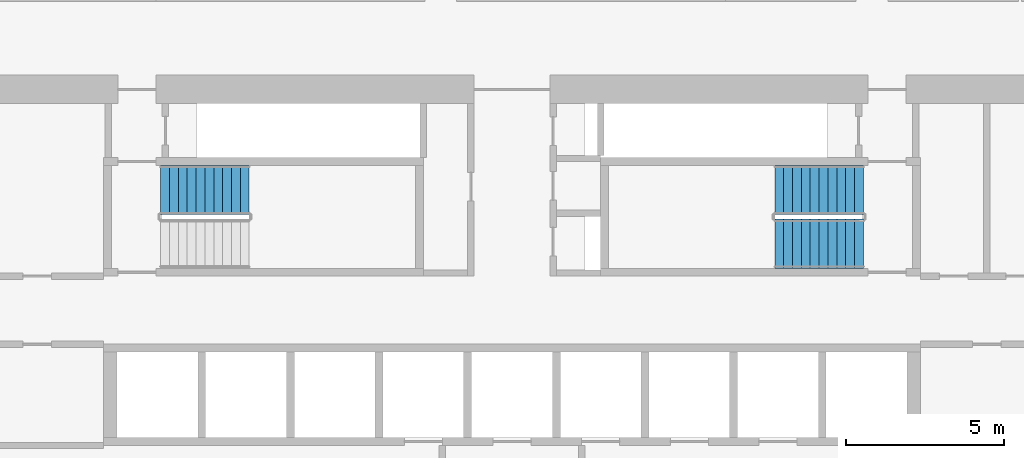
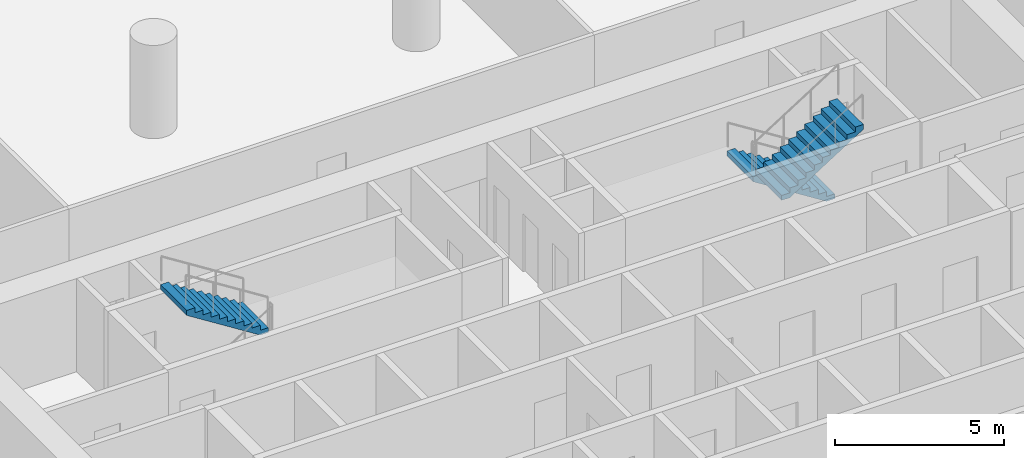
# One storey, part 9 of 10: 3 stair flights, 2 elements without a shape of their own.
"""IFC4 building model written with IfcOpenShell, lengths in metres."""

from ifc_helpers import new_model, si_unit, direction, frame, origin, place, context, subcontext, project, spatial, polyline, outline, extrude, material, type_object, element, aggregate, save


model = new_model("IFC4")

# Units and contexts
model_context = context("Model", 3, precision=1e-05, world=origin(), true_north=direction((0.0, 1.0)))
body_context = subcontext(model_context, "Body", "Model", "MODEL_VIEW")
ifc_project = project(units=[si_unit("LENGTHUNIT", "METRE"), si_unit("AREAUNIT", "SQUARE_METRE"), si_unit("VOLUMEUNIT", "CUBIC_METRE"), si_unit("PLANEANGLEUNIT", "RADIAN"), si_unit("MASSUNIT", "GRAM", prefix="KILO")], contexts=[model_context])

# Site, building, storey
site_placement = place(None, origin())
site = spatial("IfcSite", under=ifc_project, at=site_placement, CompositionType="ELEMENT")
building_placement = place(site_placement, origin())
building = spatial("IfcBuilding", under=site, at=building_placement, Name="Dhurran Vertical Campus", CompositionType="ELEMENT")
storey_placement = place(building_placement, frame((0.0, 0.0, 72.89990234375)))
storey = spatial("IfcBuildingStorey", under=building, at=storey_placement, Name="L17", CompositionType="ELEMENT", Elevation=72.89990234375)

# Stair, stair flight
ifc_material_1 = material(Name="Concrete C40/50", Category="concrete")
stair_type = type_object("IfcStairType", Name="co-ST-CORE", PredefinedType="HALF_TURN_STAIR", material=ifc_material_1)
stair_1_placement = place(storey_placement, origin())
stair_1 = element("IfcStair", 1, at=stair_1_placement, inside=storey, type_object=stair_type, Name="L17 Protected exit stair ST1", PredefinedType="HALF_TURN_STAIR")
ifc_material_2 = material(Name="Concrete C40/50", Category="concrete")
stair_flight_type = type_object("IfcStairFlightType", Name="co-SFL-RC", PredefinedType="STRAIGHT", material=ifc_material_2)
stair_flight_1_placement = place(storey_placement, frame((-8.300048828125, 9.875, 1.9501953125), z_axis=(0.0, 0.0, 1.0), x_axis=(-1.0, 0.0, 0.0)))
stair_flight_1 = element("IfcStairFlight", 2, at=stair_flight_1_placement, type_object=stair_flight_type, Name="ST1 flight 2", NumberOfRisers=11, NumberOfTreads=10, PredefinedType="STRAIGHT", RiserHeight=0.177272727, TreadLength=0.28, context=body_context, shape_type="SweptSolid", body=[
    extrude(outline(polyline([(0.0, 0.0), (0.0, 0.17724609375), (0.280029296875, 0.17724609375), (0.280029296875, 0.3544921875), (0.56005859375, 0.3544921875), (0.56005859375, 0.53173828125), (0.840087890625, 0.53173828125), (0.840087890625, 0.708984375), (1.1201171875, 0.708984375), (1.1201171875, 0.886474609375), (1.39990234375, 0.886474609375), (1.39990234375, 1.063720703125), (1.679931640625, 1.063720703125), (1.679931640625, 1.240966796875), (1.9599609375, 1.240966796875), (1.9599609375, 1.418212890625), (2.239990234375, 1.418212890625), (2.239990234375, 1.595458984375), (2.52001953125, 1.595458984375), (2.52001953125, 1.772705078125), (2.800048828125, 1.772705078125), (2.800048828125, 1.949951171875), (2.800048828125, 1.59521484375), (0.2802734375, 0.0), (0.0, 0.0)])), frame((0.0, 0.77490234375, 0.0), z_axis=(0.0, -1.0, 0.0), x_axis=(1.0, 0.0, 0.0)), (0.0, 0.0, 1.0), 1.550048828125),
])
aggregate(stair_1, [stair_flight_1])

# Stair, stair flights
stair_2_placement = place(storey_placement, origin())
stair_2 = element("IfcStair", 3, at=stair_2_placement, inside=storey, type_object=stair_type, Name="L17 Protected exit stair ST2", PredefinedType="HALF_TURN_STAIR")
stair_flight_2_placement = place(storey_placement, frame((11.10009765625, 9.875, 0.0), z_axis=(0.0, 0.0, 1.0), x_axis=(-1.0, 0.0, 0.0)))
stair_flight_2 = element("IfcStairFlight", 4, at=stair_flight_2_placement, type_object=stair_flight_type, Name="ST2 flight 1", NumberOfRisers=11, NumberOfTreads=10, PredefinedType="STRAIGHT", RiserHeight=0.177272727, TreadLength=0.28, context=body_context, shape_type="SweptSolid", body=[
    extrude(outline(polyline([(0.0, 0.0), (0.0, 0.17724609375), (0.280029296875, 0.17724609375), (0.280029296875, 0.3544921875), (0.56005859375, 0.3544921875), (0.56005859375, 0.53173828125), (0.840087890625, 0.53173828125), (0.840087890625, 0.708984375), (1.1201171875, 0.708984375), (1.1201171875, 0.886474609375), (1.39990234375, 0.886474609375), (1.39990234375, 1.063720703125), (1.679931640625, 1.063720703125), (1.679931640625, 1.240966796875), (1.9599609375, 1.240966796875), (1.9599609375, 1.418212890625), (2.239990234375, 1.418212890625), (2.239990234375, 1.595458984375), (2.52001953125, 1.595458984375), (2.52001953125, 1.772705078125), (2.800048828125, 1.772705078125), (2.800048828125, 1.949951171875), (2.800048828125, 1.59521484375), (0.2802734375, 0.0), (0.0, 0.0)])), frame((0.0, 0.77490234375, 0.0), z_axis=(0.0, -1.0, 0.0), x_axis=(1.0, 0.0, 0.0)), (0.0, 0.0, 1.0), 1.550048828125),
])
stair_flight_3_placement = place(storey_placement, frame((8.300048828125, 8.175048828125, 1.9501953125), z_axis=(0.0, 0.0, 1.0), x_axis=(1.0, 0.0, 0.0)))
stair_flight_3 = element("IfcStairFlight", 5, at=stair_flight_3_placement, type_object=stair_flight_type, Name="ST2 flight 2", NumberOfRisers=11, NumberOfTreads=10, PredefinedType="STRAIGHT", RiserHeight=0.177272727, TreadLength=0.28, context=body_context, shape_type="SweptSolid", body=[
    extrude(outline(polyline([(0.0, 0.0), (0.0, 0.17724609375), (0.280029296875, 0.17724609375), (0.280029296875, 0.3544921875), (0.56005859375, 0.3544921875), (0.56005859375, 0.53173828125), (0.840087890625, 0.53173828125), (0.840087890625, 0.708984375), (1.1201171875, 0.708984375), (1.1201171875, 0.886474609375), (1.39990234375, 0.886474609375), (1.39990234375, 1.063720703125), (1.679931640625, 1.063720703125), (1.679931640625, 1.240966796875), (1.9599609375, 1.240966796875), (1.9599609375, 1.418212890625), (2.239990234375, 1.418212890625), (2.239990234375, 1.595458984375), (2.52001953125, 1.595458984375), (2.52001953125, 1.772705078125), (2.800048828125, 1.772705078125), (2.800048828125, 1.949951171875), (2.800048828125, 1.59521484375), (0.2802734375, 0.0), (0.0, 0.0)])), frame((0.0, 0.77490234375, 0.0), z_axis=(0.0, -1.0, 0.0), x_axis=(1.0, 0.0, 0.0)), (0.0, 0.0, 1.0), 1.550048828125),
])
aggregate(stair_2, [stair_flight_2, stair_flight_3])

save(model, "model.ifc")
